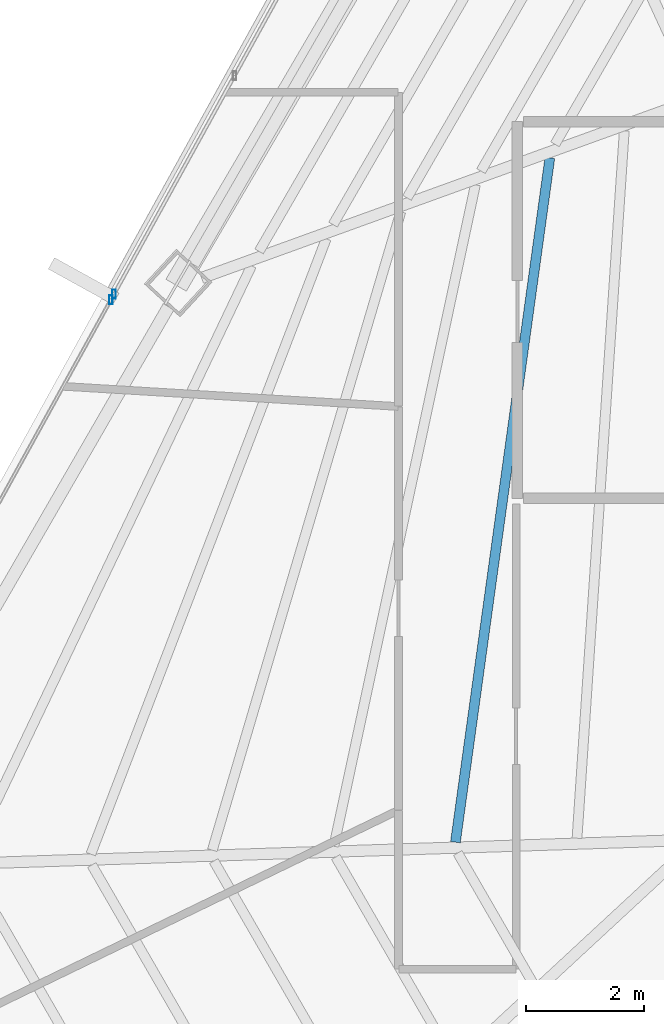
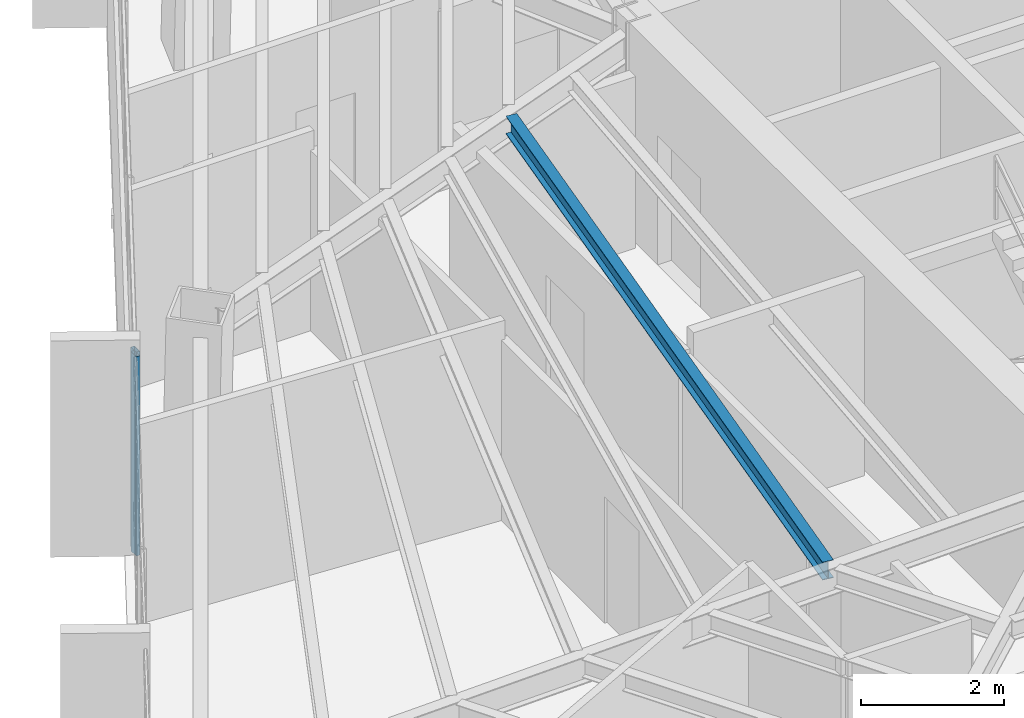
# One storey, part 12 of 41: 2 members, 1 beam, 2 elements without a shape of their own.
"""IFC4 building model written with IfcOpenShell, lengths in metres."""

from ifc_helpers import new_model, si_unit, direction, frame, origin, origin_2d, place, context, subcontext, project, spatial, hollow_rectangle, i_section, extrude, source, transform, mapped, material, material_profile, profile_set, type_object, type_shapes, element, aggregate, save


model = new_model("IFC4")

# Units and contexts
model_context = context("Model", 3, precision=1e-05, world=origin(), true_north=direction((0.0, 1.0)))
body_context = subcontext(model_context, "Body", "Model", "MODEL_VIEW")
ifc_project = project(units=[si_unit("LENGTHUNIT", "METRE"), si_unit("AREAUNIT", "SQUARE_METRE"), si_unit("VOLUMEUNIT", "CUBIC_METRE"), si_unit("PLANEANGLEUNIT", "RADIAN"), si_unit("MASSUNIT", "GRAM", prefix="KILO")], contexts=[model_context])

# Site, building, storey
site_placement = place(None, origin())
site = spatial("IfcSite", under=ifc_project, at=site_placement, CompositionType="ELEMENT")
building_placement = place(site_placement, origin())
building = spatial("IfcBuilding", under=site, at=building_placement, Name="Caelisora Broadcast Tower", CompositionType="ELEMENT")
storey_placement = place(building_placement, frame((0.0, 0.0, 209.60009765625)))
storey = spatial("IfcBuildingStorey", under=building, at=storey_placement, Name="L55", CompositionType="ELEMENT", Elevation=209.60009765625)

# Beam
ifc_material_1 = material(Name="Steel Grade 350 (AS/NZS 3679.1)", Category="steel")
ifc_material_profile_1 = material_profile(ifc_material_1, i_section(OverallWidth=0.166015625, OverallDepth=0.30712890625, WebThickness=0.006591796875, FlangeThickness=0.01171875, at=origin_2d()), Name="Steel Grade 350 (AS/NZS 3679.1)")
ifc_profile_set_1 = profile_set([ifc_material_profile_1], Name="Steel Grade 350 (AS/NZS 3679.1)")
beam_type = type_object("IfcBeamType", Name="SB03", PredefinedType="JOIST", material=ifc_profile_set_1)
shared_shape_1 = source(origin(), body_context, "Body", "SweptSolid", [
    extrude(i_section(OverallWidth=0.166015625, OverallDepth=0.30712890625, WebThickness=0.006591796875, FlangeThickness=0.01171875, at=origin_2d()), origin(), (0.0, 0.0, 1.0), 11.739501953125),
])
type_shapes(beam_type, [shared_shape_1])
beam_placement = place(storey_placement, frame((27.9716796875, 28.986328125, 3.246337890625), z_axis=(-0.136673990956, -0.990616081131, 0.0), x_axis=(0.990616081131, -0.136673990956, 0.0)))
element("IfcBeam", 1, at=beam_placement, inside=storey, type_object=beam_type, Name="L55 beam SB03", PredefinedType="JOIST", context=body_context, shape_type="MappedRepresentation", body=[
    mapped(shared_shape_1, transform((0.0, 0.0, 0.0), scale=1.0)),
])

# Curtain wall, member
ifc_material_2 = material(Name="Unitised Aluminium and Low-E Glass Curtain Wall", Category="glass")
curtain_wall_type_1 = type_object("IfcCurtainWallType", Name="CW-Z4", PredefinedType="NOTDEFINED", material=ifc_material_2)
curtain_wall_1_placement = place(storey_placement, origin())
curtain_wall_1 = element("IfcCurtainWall", 2, at=curtain_wall_1_placement, inside=storey, type_object=curtain_wall_type_1, Name="L55 curtain wall CW-Z4", PredefinedType="NOTDEFINED")
ifc_material_3 = material(Name="Aluminium 6063-T6 Anodised Terracotta Bronze", Category="aluminium")
ifc_material_profile_2 = material_profile(ifc_material_3, hollow_rectangle(XDim=0.06005859375, YDim=0.14990234375, WallThickness=0.00341796875, at=origin_2d()), Name="Aluminium 6063-T6 Anodised Terracotta Bronze")
ifc_profile_set_2 = profile_set([ifc_material_profile_2], Name="Aluminium 6063-T6 Anodised Terracotta Bronze")
member_type = type_object("IfcMemberType", Name="CWM-03", PredefinedType="MULLION", material=ifc_profile_set_2)
shared_shape_2 = source(origin(), body_context, "Body", "SweptSolid", [
    extrude(hollow_rectangle(XDim=0.06005859375, YDim=0.14990234375, WallThickness=0.00341796875, at=origin_2d()), origin(), (0.0, 0.0, 1.0), 3.39990234375),
])
type_shapes(member_type, [shared_shape_2])
member_1_placement = place(storey_placement, frame((20.512451171875, 26.572509765625, 0.0), z_axis=(0.0, 0.0, 1.0), x_axis=(1.0, 0.0, 0.0)))
member_1 = element("IfcMember", 3, at=member_1_placement, type_object=member_type, Name="L55-CW-B09 mullion #3", PredefinedType="MULLION", context=body_context, shape_type="MappedRepresentation", body=[
    mapped(shared_shape_2, transform((0.0, 0.0, 0.0), scale=1.0)),
])
aggregate(curtain_wall_1, [member_1])

ifc_material_4 = material(Name="Unitised Aluminium Insulated Shadow-Box Spandrel Curtain Wall", Category="aluminium")
curtain_wall_type_2 = type_object("IfcCurtainWallType", Name="CW-SP2", PredefinedType="NOTDEFINED", material=ifc_material_4)
curtain_wall_2_placement = place(storey_placement, origin())
curtain_wall_2 = element("IfcCurtainWall", 4, at=curtain_wall_2_placement, inside=storey, type_object=curtain_wall_type_2, Name="L55 curtain wall CW-SP2", PredefinedType="NOTDEFINED")
member_2_placement = place(storey_placement, frame((20.5654296875, 26.668701171875, 0.0), z_axis=(0.0, 0.0, 1.0), x_axis=(1.0, 0.0, 0.0)))
member_2 = element("IfcMember", 5, at=member_2_placement, type_object=member_type, Name="L55-CW-B10 mullion #0", PredefinedType="MULLION", context=body_context, shape_type="MappedRepresentation", body=[
    mapped(shared_shape_2, transform((0.0, 0.0, 0.0), scale=1.0)),
])
aggregate(curtain_wall_2, [member_2])

save(model, "model.ifc")
